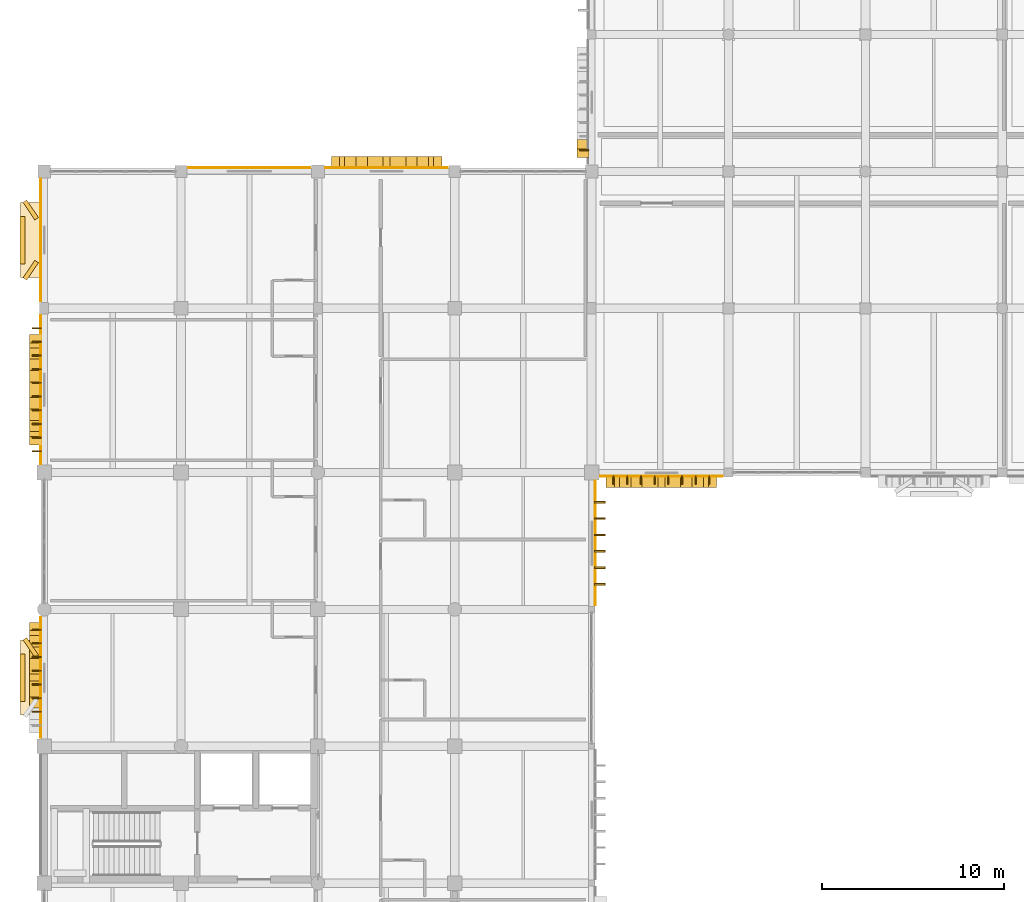
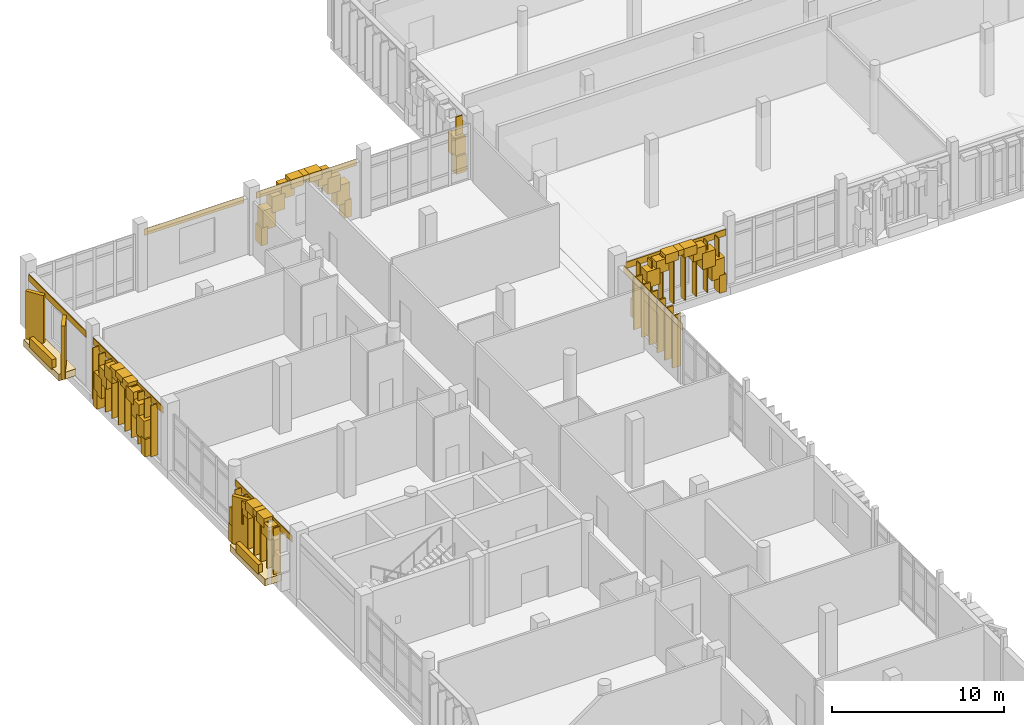
# One storey, part 119 of 131: 63 coverings, 26 shading devices.
"""IFC4 building model written with IfcOpenShell, lengths in metres."""

from ifc_helpers import new_model, si_unit, direction, frame, origin, origin_2d, place, context, subcontext, project, spatial, rectangle, extrude, material, layer, layer_set, type_object, element, save


model = new_model("IFC4")

# Units and contexts
model_context = context("Model", 3, precision=1e-05, world=origin(), true_north=direction((0.0, 1.0)))
body_context = subcontext(model_context, "Body", "Model", "MODEL_VIEW")
ifc_project = project(units=[si_unit("LENGTHUNIT", "METRE"), si_unit("AREAUNIT", "SQUARE_METRE"), si_unit("VOLUMEUNIT", "CUBIC_METRE"), si_unit("PLANEANGLEUNIT", "RADIAN"), si_unit("MASSUNIT", "GRAM", prefix="KILO")], contexts=[model_context])

# Site, building, storey
site_placement = place(None, origin())
site = spatial("IfcSite", under=ifc_project, at=site_placement, CompositionType="ELEMENT")
building_placement = place(site_placement, origin())
building = spatial("IfcBuilding", under=site, at=building_placement, Name="Dalvernix Boulevard General Hospital", CompositionType="ELEMENT")
storey_placement = place(building_placement, frame((0.0, 0.0, 9.300048828125)))
storey = spatial("IfcBuildingStorey", under=building, at=storey_placement, Name="L02", CompositionType="ELEMENT", Elevation=9.300048828125)

# Coverings
ifc_material_1 = material(Name="Pressed Catalan clay brick and dressed limestone parabolic archivolt", Category="masonry")
ifc_layer_1 = layer(ifc_material_1, 0.419921875)
ifc_layer_set_1 = layer_set([ifc_layer_1], Name="Pressed Catalan clay brick and dressed limestone parabolic archivolt (COV-ARC-01)")
covering_type_1 = type_object("IfcCoveringType", Name="COV-ARC-01", PredefinedType="CLADDING", material=ifc_layer_set_1)
covering_1_placement = place(storey_placement, frame((-0.485107421875, 68.0625, 0.0), z_axis=(0.0, 0.0, 1.0), x_axis=(0.0, 1.0, 0.0)))
element("IfcCovering", 1, at=covering_1_placement, inside=storey, type_object=covering_type_1, Name="L02 Catalan parabolic arch impost pier W 0-8-R", PredefinedType="CLADDING", context=body_context, shape_type="SweptSolid", body=[
    extrude(rectangle(XDim=0.4599609375, YDim=0.659912109375, at=origin_2d()), origin(), (0.0, 0.0, 1.0), 1.25),
])
covering_2_placement = place(storey_placement, frame((-0.485107421875, 64.01806640625, 2.843505859375), z_axis=(0.0, 0.0, 1.0), x_axis=(0.0, 1.0, 0.0)))
element("IfcCovering", 2, at=covering_2_placement, inside=storey, type_object=covering_type_1, Name="L02 Catalan parabolic archivolt voussoir W 0-8-3", PredefinedType="CLADDING", context=body_context, shape_type="SweptSolid", body=[
    extrude(rectangle(XDim=0.8623046875, YDim=0.659912109375, at=origin_2d()), origin(), (0.0, 0.0, 1.0), 0.8896484375),
])
covering_3_placement = place(storey_placement, frame((-0.485107421875, 64.640380859375, 3.353271484375), z_axis=(0.0, 0.0, 1.0), x_axis=(0.0, 1.0, 0.0)))
element("IfcCovering", 3, at=covering_3_placement, inside=storey, type_object=covering_type_1, Name="L02 Catalan parabolic archivolt voussoir W 0-8-4", PredefinedType="CLADDING", context=body_context, shape_type="SweptSolid", body=[
    extrude(rectangle(XDim=0.8623046875, YDim=0.659912109375, at=origin_2d()), origin(), (0.0, 0.0, 1.0), 0.634765625),
])
covering_4_placement = place(storey_placement, frame((-0.485107421875, 65.262451171875, 3.608154296875), z_axis=(0.0, 0.0, 1.0), x_axis=(0.0, 1.0, 0.0)))
element("IfcCovering", 4, at=covering_4_placement, inside=storey, type_object=covering_type_1, Name="L02 Catalan parabolic archivolt voussoir W 0-8-5", PredefinedType="CLADDING", context=body_context, shape_type="SweptSolid", body=[
    extrude(rectangle(XDim=0.8623046875, YDim=0.659912109375, at=origin_2d()), origin(), (0.0, 0.0, 1.0), 0.3798828125),
])
covering_5_placement = place(storey_placement, frame((-0.485107421875, 65.884765625, 3.353271484375), z_axis=(0.0, 0.0, 1.0), x_axis=(0.0, 1.0, 0.0)))
element("IfcCovering", 5, at=covering_5_placement, inside=storey, type_object=covering_type_1, Name="L02 Catalan parabolic archivolt voussoir W 0-8-6", PredefinedType="CLADDING", context=body_context, shape_type="SweptSolid", body=[
    extrude(rectangle(XDim=0.8623046875, YDim=0.659912109375, at=origin_2d()), origin(), (0.0, 0.0, 1.0), 0.634765625),
])
covering_6_placement = place(storey_placement, frame((-0.485107421875, 66.5068359375, 2.843505859375), z_axis=(0.0, 0.0, 1.0), x_axis=(0.0, 1.0, 0.0)))
element("IfcCovering", 6, at=covering_6_placement, inside=storey, type_object=covering_type_1, Name="L02 Catalan parabolic archivolt voussoir W 0-8-7", PredefinedType="CLADDING", context=body_context, shape_type="SweptSolid", body=[
    extrude(rectangle(XDim=0.8623046875, YDim=0.659912109375, at=origin_2d()), origin(), (0.0, 0.0, 1.0), 0.8896484375),
])
covering_7_placement = place(storey_placement, frame((-0.485107421875, 67.129150390625, 2.0791015625), z_axis=(0.0, 0.0, 1.0), x_axis=(0.0, 1.0, 0.0)))
element("IfcCovering", 7, at=covering_7_placement, inside=storey, type_object=covering_type_1, Name="L02 Catalan parabolic archivolt voussoir W 0-8-8", PredefinedType="CLADDING", context=body_context, shape_type="SweptSolid", body=[
    extrude(rectangle(XDim=0.8623046875, YDim=0.659912109375, at=origin_2d()), origin(), (0.0, 0.0, 1.0), 1.144287109375),
])
covering_8_placement = place(storey_placement, frame((-0.485107421875, 67.75146484375, 1.059814453125), z_axis=(0.0, 0.0, 1.0), x_axis=(0.0, 1.0, 0.0)))
element("IfcCovering", 8, at=covering_8_placement, inside=storey, type_object=covering_type_1, Name="L02 Catalan parabolic archivolt voussoir W 0-8-9", PredefinedType="CLADDING", context=body_context, shape_type="SweptSolid", body=[
    extrude(rectangle(XDim=0.8623046875, YDim=0.659912109375, at=origin_2d()), origin(), (0.0, 0.0, 1.0), 1.3994140625),
])
for number, where, z_axis, x_axis, name in (
    (9, (-0.485107421875, 78.237548828125, 0.0), (0.0, 0.0, 1.0), (0.0, 1.0, 0.0), "L02 Catalan parabolic arch impost pier W 0-10-L"),
    (10, (-0.485107421875, 83.83740234375, 0.0), (0.0, 0.0, 1.0), (0.0, 1.0, 0.0), "L02 Catalan parabolic arch impost pier W 0-10-R"),
):
    element("IfcCovering", number, at=place(storey_placement, frame(where, z_axis=z_axis, x_axis=x_axis)), inside=storey, type_object=covering_type_1, Name=name, PredefinedType="CLADDING", context=body_context, shape_type="SweptSolid", body=[
        extrude(rectangle(XDim=0.4599609375, YDim=0.659912109375, at=origin_2d()), origin(), (0.0, 0.0, 1.0), 1.25),
    ])
covering_9_placement = place(storey_placement, frame((-0.485107421875, 78.548583984375, 1.06005859375), z_axis=(0.0, 0.0, 1.0), x_axis=(0.0, 1.0, 0.0)))
element("IfcCovering", 11, at=covering_9_placement, inside=storey, type_object=covering_type_1, Name="L02 Catalan parabolic archivolt voussoir W 0-10-1", PredefinedType="CLADDING", context=body_context, shape_type="SweptSolid", body=[
    extrude(rectangle(XDim=0.8623046875, YDim=0.659912109375, at=origin_2d()), origin(), (0.0, 0.0, 1.0), 1.4189453125),
])
covering_10_placement = place(storey_placement, frame((-0.485107421875, 79.1708984375, 2.098876953125), z_axis=(0.0, 0.0, 1.0), x_axis=(0.0, 1.0, 0.0)))
element("IfcCovering", 12, at=covering_10_placement, inside=storey, type_object=covering_type_1, Name="L02 Catalan parabolic archivolt voussoir W 0-10-2", PredefinedType="CLADDING", context=body_context, shape_type="SweptSolid", body=[
    extrude(rectangle(XDim=0.8623046875, YDim=0.659912109375, at=origin_2d()), origin(), (0.0, 0.0, 1.0), 1.1591796875),
])
covering_11_placement = place(storey_placement, frame((-0.485107421875, 79.793212890625, 2.878173828125), z_axis=(0.0, 0.0, 1.0), x_axis=(0.0, 1.0, 0.0)))
element("IfcCovering", 13, at=covering_11_placement, inside=storey, type_object=covering_type_1, Name="L02 Catalan parabolic archivolt voussoir W 0-10-3", PredefinedType="CLADDING", context=body_context, shape_type="SweptSolid", body=[
    extrude(rectangle(XDim=0.8623046875, YDim=0.659912109375, at=origin_2d()), origin(), (0.0, 0.0, 1.0), 0.8994140625),
])
covering_12_placement = place(storey_placement, frame((-0.485107421875, 80.415283203125, 3.3974609375), z_axis=(0.0, 0.0, 1.0), x_axis=(0.0, 1.0, 0.0)))
element("IfcCovering", 14, at=covering_12_placement, inside=storey, type_object=covering_type_1, Name="L02 Catalan parabolic archivolt voussoir W 0-10-4", PredefinedType="CLADDING", context=body_context, shape_type="SweptSolid", body=[
    extrude(rectangle(XDim=0.8623046875, YDim=0.659912109375, at=origin_2d()), origin(), (0.0, 0.0, 1.0), 0.639892578125),
])
covering_13_placement = place(storey_placement, frame((-0.485107421875, 81.03759765625, 3.657470703125), z_axis=(0.0, 0.0, 1.0), x_axis=(0.0, 1.0, 0.0)))
element("IfcCovering", 15, at=covering_13_placement, inside=storey, type_object=covering_type_1, Name="L02 Catalan parabolic archivolt voussoir W 0-10-5", PredefinedType="CLADDING", context=body_context, shape_type="SweptSolid", body=[
    extrude(rectangle(XDim=0.8623046875, YDim=0.659912109375, at=origin_2d()), origin(), (0.0, 0.0, 1.0), 0.3798828125),
])
covering_14_placement = place(storey_placement, frame((-0.485107421875, 81.65966796875, 3.3974609375), z_axis=(0.0, 0.0, 1.0), x_axis=(0.0, 1.0, 0.0)))
element("IfcCovering", 16, at=covering_14_placement, inside=storey, type_object=covering_type_1, Name="L02 Catalan parabolic archivolt voussoir W 0-10-6", PredefinedType="CLADDING", context=body_context, shape_type="SweptSolid", body=[
    extrude(rectangle(XDim=0.8623046875, YDim=0.659912109375, at=origin_2d()), origin(), (0.0, 0.0, 1.0), 0.639892578125),
])
covering_15_placement = place(storey_placement, frame((-0.485107421875, 82.281982421875, 2.878173828125), z_axis=(0.0, 0.0, 1.0), x_axis=(0.0, 1.0, 0.0)))
element("IfcCovering", 17, at=covering_15_placement, inside=storey, type_object=covering_type_1, Name="L02 Catalan parabolic archivolt voussoir W 0-10-7", PredefinedType="CLADDING", context=body_context, shape_type="SweptSolid", body=[
    extrude(rectangle(XDim=0.8623046875, YDim=0.659912109375, at=origin_2d()), origin(), (0.0, 0.0, 1.0), 0.8994140625),
])
covering_16_placement = place(storey_placement, frame((-0.485107421875, 82.904296875, 2.098876953125), z_axis=(0.0, 0.0, 1.0), x_axis=(0.0, 1.0, 0.0)))
element("IfcCovering", 18, at=covering_16_placement, inside=storey, type_object=covering_type_1, Name="L02 Catalan parabolic archivolt voussoir W 0-10-8", PredefinedType="CLADDING", context=body_context, shape_type="SweptSolid", body=[
    extrude(rectangle(XDim=0.8623046875, YDim=0.659912109375, at=origin_2d()), origin(), (0.0, 0.0, 1.0), 1.1591796875),
])
covering_17_placement = place(storey_placement, frame((-0.485107421875, 83.5263671875, 1.06005859375), z_axis=(0.0, 0.0, 1.0), x_axis=(0.0, 1.0, 0.0)))
element("IfcCovering", 19, at=covering_17_placement, inside=storey, type_object=covering_type_1, Name="L02 Catalan parabolic archivolt voussoir W 0-10-9", PredefinedType="CLADDING", context=body_context, shape_type="SweptSolid", body=[
    extrude(rectangle(XDim=0.8623046875, YDim=0.659912109375, at=origin_2d()), origin(), (0.0, 0.0, 1.0), 1.4189453125),
])
for number, where, z_axis, x_axis, name in (
    (20, (15.96240234375, 93.485107421875, 0.0), (0.0, 0.0, 1.0), (1.0, 0.0, 0.0), "L02 Catalan parabolic arch impost pier N 2-12-L"),
    (21, (21.5625, 93.485107421875, 0.0), (0.0, 0.0, 1.0), (1.0, 0.0, 0.0), "L02 Catalan parabolic arch impost pier N 2-12-R"),
):
    element("IfcCovering", number, at=place(storey_placement, frame(where, z_axis=z_axis, x_axis=x_axis)), inside=storey, type_object=covering_type_1, Name=name, PredefinedType="CLADDING", context=body_context, shape_type="SweptSolid", body=[
        extrude(rectangle(XDim=0.4599609375, YDim=0.659912109375, at=origin_2d()), origin(), (0.0, 0.0, 1.0), 1.25),
    ])
covering_18_placement = place(storey_placement, frame((16.273681640625, 93.485107421875, 1.059814453125), z_axis=(0.0, 0.0, 1.0), x_axis=(1.0, 0.0, 0.0)))
element("IfcCovering", 22, at=covering_18_placement, inside=storey, type_object=covering_type_1, Name="L02 Catalan parabolic archivolt voussoir N 2-12-1", PredefinedType="CLADDING", context=body_context, shape_type="SweptSolid", body=[
    extrude(rectangle(XDim=0.8623046875, YDim=0.659912109375, at=origin_2d()), origin(), (0.0, 0.0, 1.0), 1.3994140625),
])
covering_19_placement = place(storey_placement, frame((16.895751953125, 93.485107421875, 2.0791015625), z_axis=(0.0, 0.0, 1.0), x_axis=(1.0, 0.0, 0.0)))
element("IfcCovering", 23, at=covering_19_placement, inside=storey, type_object=covering_type_1, Name="L02 Catalan parabolic archivolt voussoir N 2-12-2", PredefinedType="CLADDING", context=body_context, shape_type="SweptSolid", body=[
    extrude(rectangle(XDim=0.8623046875, YDim=0.659912109375, at=origin_2d()), origin(), (0.0, 0.0, 1.0), 1.144287109375),
])
covering_20_placement = place(storey_placement, frame((17.51806640625, 93.485107421875, 2.843505859375), z_axis=(0.0, 0.0, 1.0), x_axis=(1.0, 0.0, 0.0)))
element("IfcCovering", 24, at=covering_20_placement, inside=storey, type_object=covering_type_1, Name="L02 Catalan parabolic archivolt voussoir N 2-12-3", PredefinedType="CLADDING", context=body_context, shape_type="SweptSolid", body=[
    extrude(rectangle(XDim=0.8623046875, YDim=0.659912109375, at=origin_2d()), origin(), (0.0, 0.0, 1.0), 0.8896484375),
])
covering_21_placement = place(storey_placement, frame((18.140380859375, 93.485107421875, 3.353271484375), z_axis=(0.0, 0.0, 1.0), x_axis=(1.0, 0.0, 0.0)))
element("IfcCovering", 25, at=covering_21_placement, inside=storey, type_object=covering_type_1, Name="L02 Catalan parabolic archivolt voussoir N 2-12-4", PredefinedType="CLADDING", context=body_context, shape_type="SweptSolid", body=[
    extrude(rectangle(XDim=0.8623046875, YDim=0.659912109375, at=origin_2d()), origin(), (0.0, 0.0, 1.0), 0.634765625),
])
covering_22_placement = place(storey_placement, frame((18.762451171875, 93.485107421875, 3.608154296875), z_axis=(0.0, 0.0, 1.0), x_axis=(1.0, 0.0, 0.0)))
element("IfcCovering", 26, at=covering_22_placement, inside=storey, type_object=covering_type_1, Name="L02 Catalan parabolic archivolt voussoir N 2-12-5", PredefinedType="CLADDING", context=body_context, shape_type="SweptSolid", body=[
    extrude(rectangle(XDim=0.8623046875, YDim=0.659912109375, at=origin_2d()), origin(), (0.0, 0.0, 1.0), 0.3798828125),
])
covering_23_placement = place(storey_placement, frame((19.384765625, 93.485107421875, 3.353271484375), z_axis=(0.0, 0.0, 1.0), x_axis=(1.0, 0.0, 0.0)))
element("IfcCovering", 27, at=covering_23_placement, inside=storey, type_object=covering_type_1, Name="L02 Catalan parabolic archivolt voussoir N 2-12-6", PredefinedType="CLADDING", context=body_context, shape_type="SweptSolid", body=[
    extrude(rectangle(XDim=0.8623046875, YDim=0.659912109375, at=origin_2d()), origin(), (0.0, 0.0, 1.0), 0.634765625),
])
covering_24_placement = place(storey_placement, frame((20.0068359375, 93.485107421875, 2.843505859375), z_axis=(0.0, 0.0, 1.0), x_axis=(1.0, 0.0, 0.0)))
element("IfcCovering", 28, at=covering_24_placement, inside=storey, type_object=covering_type_1, Name="L02 Catalan parabolic archivolt voussoir N 2-12-7", PredefinedType="CLADDING", context=body_context, shape_type="SweptSolid", body=[
    extrude(rectangle(XDim=0.8623046875, YDim=0.659912109375, at=origin_2d()), origin(), (0.0, 0.0, 1.0), 0.8896484375),
])
covering_25_placement = place(storey_placement, frame((20.629150390625, 93.485107421875, 2.0791015625), z_axis=(0.0, 0.0, 1.0), x_axis=(1.0, 0.0, 0.0)))
element("IfcCovering", 29, at=covering_25_placement, inside=storey, type_object=covering_type_1, Name="L02 Catalan parabolic archivolt voussoir N 2-12-8", PredefinedType="CLADDING", context=body_context, shape_type="SweptSolid", body=[
    extrude(rectangle(XDim=0.8623046875, YDim=0.659912109375, at=origin_2d()), origin(), (0.0, 0.0, 1.0), 1.144287109375),
])
covering_26_placement = place(storey_placement, frame((21.25146484375, 93.485107421875, 1.059814453125), z_axis=(0.0, 0.0, 1.0), x_axis=(1.0, 0.0, 0.0)))
element("IfcCovering", 30, at=covering_26_placement, inside=storey, type_object=covering_type_1, Name="L02 Catalan parabolic archivolt voussoir N 2-12-9", PredefinedType="CLADDING", context=body_context, shape_type="SweptSolid", body=[
    extrude(rectangle(XDim=0.8623046875, YDim=0.659912109375, at=origin_2d()), origin(), (0.0, 0.0, 1.0), 1.3994140625),
])
for number, where, z_axis, x_axis, name in (
    (31, (36.625, 76.014892578125, 0.0), (0.0, 0.0, 1.0), (-1.0, 0.0, 0.0), "L02 Catalan parabolic arch impost pier S 4-10-L"),
    (32, (31.02490234375, 76.014892578125, 0.0), (0.0, 0.0, 1.0), (-1.0, 0.0, 0.0), "L02 Catalan parabolic arch impost pier S 4-10-R"),
):
    element("IfcCovering", number, at=place(storey_placement, frame(where, z_axis=z_axis, x_axis=x_axis)), inside=storey, type_object=covering_type_1, Name=name, PredefinedType="CLADDING", context=body_context, shape_type="SweptSolid", body=[
        extrude(rectangle(XDim=0.4599609375, YDim=0.659912109375, at=origin_2d()), origin(), (0.0, 0.0, 1.0), 1.25),
    ])
covering_27_placement = place(storey_placement, frame((36.31396484375, 76.014892578125, 1.059814453125), z_axis=(0.0, 0.0, 1.0), x_axis=(-1.0, 0.0, 0.0)))
element("IfcCovering", 33, at=covering_27_placement, inside=storey, type_object=covering_type_1, Name="L02 Catalan parabolic archivolt voussoir S 4-10-1", PredefinedType="CLADDING", context=body_context, shape_type="SweptSolid", body=[
    extrude(rectangle(XDim=0.8623046875, YDim=0.659912109375, at=origin_2d()), origin(), (0.0, 0.0, 1.0), 1.3994140625),
])
covering_28_placement = place(storey_placement, frame((35.691650390625, 76.014892578125, 2.0791015625), z_axis=(0.0, 0.0, 1.0), x_axis=(-1.0, 0.0, 0.0)))
element("IfcCovering", 34, at=covering_28_placement, inside=storey, type_object=covering_type_1, Name="L02 Catalan parabolic archivolt voussoir S 4-10-2", PredefinedType="CLADDING", context=body_context, shape_type="SweptSolid", body=[
    extrude(rectangle(XDim=0.8623046875, YDim=0.659912109375, at=origin_2d()), origin(), (0.0, 0.0, 1.0), 1.144287109375),
])
covering_29_placement = place(storey_placement, frame((35.0693359375, 76.014892578125, 2.843505859375), z_axis=(0.0, 0.0, 1.0), x_axis=(-1.0, 0.0, 0.0)))
element("IfcCovering", 35, at=covering_29_placement, inside=storey, type_object=covering_type_1, Name="L02 Catalan parabolic archivolt voussoir S 4-10-3", PredefinedType="CLADDING", context=body_context, shape_type="SweptSolid", body=[
    extrude(rectangle(XDim=0.8623046875, YDim=0.659912109375, at=origin_2d()), origin(), (0.0, 0.0, 1.0), 0.8896484375),
])
covering_30_placement = place(storey_placement, frame((34.447265625, 76.014892578125, 3.353271484375), z_axis=(0.0, 0.0, 1.0), x_axis=(-1.0, 0.0, 0.0)))
element("IfcCovering", 36, at=covering_30_placement, inside=storey, type_object=covering_type_1, Name="L02 Catalan parabolic archivolt voussoir S 4-10-4", PredefinedType="CLADDING", context=body_context, shape_type="SweptSolid", body=[
    extrude(rectangle(XDim=0.8623046875, YDim=0.659912109375, at=origin_2d()), origin(), (0.0, 0.0, 1.0), 0.634765625),
])
covering_31_placement = place(storey_placement, frame((33.824951171875, 76.014892578125, 3.608154296875), z_axis=(0.0, 0.0, 1.0), x_axis=(-1.0, 0.0, 0.0)))
element("IfcCovering", 37, at=covering_31_placement, inside=storey, type_object=covering_type_1, Name="L02 Catalan parabolic archivolt voussoir S 4-10-5", PredefinedType="CLADDING", context=body_context, shape_type="SweptSolid", body=[
    extrude(rectangle(XDim=0.8623046875, YDim=0.659912109375, at=origin_2d()), origin(), (0.0, 0.0, 1.0), 0.3798828125),
])
covering_32_placement = place(storey_placement, frame((33.202880859375, 76.014892578125, 3.353271484375), z_axis=(0.0, 0.0, 1.0), x_axis=(-1.0, 0.0, 0.0)))
element("IfcCovering", 38, at=covering_32_placement, inside=storey, type_object=covering_type_1, Name="L02 Catalan parabolic archivolt voussoir S 4-10-6", PredefinedType="CLADDING", context=body_context, shape_type="SweptSolid", body=[
    extrude(rectangle(XDim=0.8623046875, YDim=0.659912109375, at=origin_2d()), origin(), (0.0, 0.0, 1.0), 0.634765625),
])
covering_33_placement = place(storey_placement, frame((32.58056640625, 76.014892578125, 2.843505859375), z_axis=(0.0, 0.0, 1.0), x_axis=(-1.0, 0.0, 0.0)))
element("IfcCovering", 39, at=covering_33_placement, inside=storey, type_object=covering_type_1, Name="L02 Catalan parabolic archivolt voussoir S 4-10-7", PredefinedType="CLADDING", context=body_context, shape_type="SweptSolid", body=[
    extrude(rectangle(XDim=0.8623046875, YDim=0.659912109375, at=origin_2d()), origin(), (0.0, 0.0, 1.0), 0.8896484375),
])
covering_34_placement = place(storey_placement, frame((31.958251953125, 76.014892578125, 2.0791015625), z_axis=(0.0, 0.0, 1.0), x_axis=(-1.0, 0.0, 0.0)))
element("IfcCovering", 40, at=covering_34_placement, inside=storey, type_object=covering_type_1, Name="L02 Catalan parabolic archivolt voussoir S 4-10-8", PredefinedType="CLADDING", context=body_context, shape_type="SweptSolid", body=[
    extrude(rectangle(XDim=0.8623046875, YDim=0.659912109375, at=origin_2d()), origin(), (0.0, 0.0, 1.0), 1.144287109375),
])
covering_35_placement = place(storey_placement, frame((31.336181640625, 76.014892578125, 1.059814453125), z_axis=(0.0, 0.0, 1.0), x_axis=(-1.0, 0.0, 0.0)))
element("IfcCovering", 41, at=covering_35_placement, inside=storey, type_object=covering_type_1, Name="L02 Catalan parabolic archivolt voussoir S 4-10-9", PredefinedType="CLADDING", context=body_context, shape_type="SweptSolid", body=[
    extrude(rectangle(XDim=0.8623046875, YDim=0.659912109375, at=origin_2d()), origin(), (0.0, 0.0, 1.0), 1.3994140625),
])
covering_36_placement = place(storey_placement, frame((29.514892578125, 94.0, 0.0), z_axis=(0.0, 0.0, 1.0), x_axis=(0.0, 1.0, 0.0)))
element("IfcCovering", 42, at=covering_36_placement, inside=storey, type_object=covering_type_1, Name="L02 Catalan parabolic arch impost pier W 4-12-L", PredefinedType="CLADDING", context=body_context, shape_type="SweptSolid", body=[
    extrude(rectangle(XDim=0.4599609375, YDim=0.659912109375, at=origin_2d()), origin(), (0.0, 0.0, 1.0), 1.25),
])
covering_37_placement = place(storey_placement, frame((29.514892578125, 94.31103515625, 1.059814453125), z_axis=(0.0, 0.0, 1.0), x_axis=(0.0, 1.0, 0.0)))
element("IfcCovering", 43, at=covering_37_placement, inside=storey, type_object=covering_type_1, Name="L02 Catalan parabolic archivolt voussoir W 4-12-1", PredefinedType="CLADDING", context=body_context, shape_type="SweptSolid", body=[
    extrude(rectangle(XDim=0.8623046875, YDim=0.659912109375, at=origin_2d()), origin(), (0.0, 0.0, 1.0), 1.3994140625),
])
ifc_material_2 = material(Name="Polychrome glazed Catalan trencadis ceramic faceted bay spandrel")
ifc_layer_2 = layer(ifc_material_2, 0.280029296875)
ifc_layer_set_2 = layer_set([ifc_layer_2], Name="Polychrome glazed Catalan trencadis ceramic faceted bay spandrel (COV-BAY-01)")
covering_type_2 = type_object("IfcCoveringType", Name="COV-BAY-01", PredefinedType="CLADDING", material=ifc_layer_set_2)
covering_38_placement = place(storey_placement, frame((-1.18505859375, 65.262451171875, 0.3798828125), z_axis=(0.0, 0.0, 1.0), x_axis=(0.0, 1.0, 0.0)))
element("IfcCovering", 44, at=covering_38_placement, inside=storey, type_object=covering_type_2, Name="L02 projecting faceted trencadis bay spandrel W 0-8", PredefinedType="CLADDING", context=body_context, shape_type="SweptSolid", body=[
    extrude(rectangle(XDim=2.60009765625, YDim=0.280029296875, at=origin_2d()), origin(), (0.0, 0.0, 1.0), 0.679931640625),
])
covering_39_placement = place(storey_placement, frame((-0.735107421875, 66.91259765625, 0.079833984375), z_axis=(0.0, 0.0, 1.0), x_axis=(-0.559192903471, 0.829037572555, 0.0)))
element("IfcCovering", 45, at=covering_39_placement, inside=storey, type_object=covering_type_2, Name="L02 projecting faceted Catalan bay cheek W 0-8-R", PredefinedType="CLADDING", context=body_context, shape_type="SweptSolid", body=[
    extrude(rectangle(XDim=1.14990234375, YDim=0.239990234375, at=origin_2d()), origin(), (0.0, 0.0, 1.0), 3.7900390625),
])
covering_40_placement = place(storey_placement, frame((-1.18505859375, 89.237548828125, 0.3798828125), z_axis=(0.0, 0.0, 1.0), x_axis=(0.0, 1.0, 0.0)))
element("IfcCovering", 46, at=covering_40_placement, inside=storey, type_object=covering_type_2, Name="L02 projecting faceted trencadis bay spandrel W 0-11", PredefinedType="CLADDING", context=body_context, shape_type="SweptSolid", body=[
    extrude(rectangle(XDim=2.60009765625, YDim=0.280029296875, at=origin_2d()), origin(), (0.0, 0.0, 1.0), 0.679931640625),
])
for number, where, z_axis, x_axis, name in (
    (47, (-0.735107421875, 87.58740234375, 0.079833984375), (0.0, 0.0, 1.0), (0.559192903471, 0.829037572555, 0.0), "L02 projecting faceted Catalan bay cheek W 0-11-L"),
    (48, (-0.735107421875, 90.887451171875, 0.079833984375), (0.0, 0.0, 1.0), (-0.559192903471, 0.829037572555, 0.0), "L02 projecting faceted Catalan bay cheek W 0-11-R"),
):
    element("IfcCovering", number, at=place(storey_placement, frame(where, z_axis=z_axis, x_axis=x_axis)), inside=storey, type_object=covering_type_2, Name=name, PredefinedType="CLADDING", context=body_context, shape_type="SweptSolid", body=[
        extrude(rectangle(XDim=1.14990234375, YDim=0.239990234375, at=origin_2d()), origin(), (0.0, 0.0, 1.0), 3.7900390625),
    ])
ifc_material_3 = material(Name="Polychrome Catalan glazed ceramic spandrel tile panel")
ifc_layer_3 = layer(ifc_material_3, 0.044921875)
ifc_layer_set_3 = layer_set([ifc_layer_3], Name="Polychrome Catalan glazed ceramic spandrel tile panel (COV-CLD-01)")
covering_type_3 = type_object("IfcCoveringType", Name="COV-CLD-01", PredefinedType="CLADDING", material=ifc_layer_set_3)
covering_41_placement = place(storey_placement, frame((-0.195068359375, 65.262451171875, 3.47509765625), z_axis=(0.0, 0.0, 1.0), x_axis=(0.0, 1.0, 0.0)))
element("IfcCovering", 49, at=covering_41_placement, inside=storey, type_object=covering_type_3, Name="L02 polychrome ceramic spandrel W 0-8", PredefinedType="CLADDING", context=body_context, shape_type="SweptSolid", body=[
    extrude(rectangle(XDim=6.60498046875, YDim=0.044921875, at=origin_2d()), origin(), (0.0, 0.0, 1.0), 0.449951171875),
])
covering_42_placement = place(storey_placement, frame((-0.195068359375, 81.03759765625, 3.52490234375), z_axis=(0.0, 0.0, 1.0), x_axis=(0.0, 1.0, 0.0)))
element("IfcCovering", 50, at=covering_42_placement, inside=storey, type_object=covering_type_3, Name="L02 polychrome ceramic spandrel W 0-10", PredefinedType="CLADDING", context=body_context, shape_type="SweptSolid", body=[
    extrude(rectangle(XDim=8.155029296875, YDim=0.044921875, at=origin_2d()), origin(), (0.0, 0.0, 1.0), 0.449951171875),
])
for number, where, z_axis, x_axis, name in (
    (51, (-0.195068359375, 89.237548828125, 3.47509765625), (0.0, 0.0, 1.0), (0.0, 1.0, 0.0), "L02 polychrome ceramic spandrel W 0-11"),
    (52, (11.237548828125, 93.195068359375, 3.47509765625), (0.0, 0.0, 1.0), (1.0, 0.0, 0.0), "L02 polychrome ceramic spandrel N 1-12"),
    (53, (18.762451171875, 93.195068359375, 3.47509765625), (0.0, 0.0, 1.0), (1.0, 0.0, 0.0), "L02 polychrome ceramic spandrel N 2-12"),
):
    element("IfcCovering", number, at=place(storey_placement, frame(where, z_axis=z_axis, x_axis=x_axis)), inside=storey, type_object=covering_type_3, Name=name, PredefinedType="CLADDING", context=body_context, shape_type="SweptSolid", body=[
        extrude(rectangle(XDim=6.705078125, YDim=0.044921875, at=origin_2d()), origin(), (0.0, 0.0, 1.0), 0.449951171875),
    ])
covering_43_placement = place(storey_placement, frame((30.195068359375, 72.6298828125, 3.47509765625), z_axis=(0.0, 0.0, 1.0), x_axis=(0.0, -1.0, 0.0)))
element("IfcCovering", 54, at=covering_43_placement, inside=storey, type_object=covering_type_3, Name="L02 polychrome ceramic spandrel E 4-9", PredefinedType="CLADDING", context=body_context, shape_type="SweptSolid", body=[
    extrude(rectangle(XDim=6.820068359375, YDim=0.044921875, at=origin_2d()), origin(), (0.0, 0.0, 1.0), 0.449951171875),
])
covering_44_placement = place(storey_placement, frame((33.824951171875, 76.304931640625, 3.47509765625), z_axis=(0.0, 0.0, 1.0), x_axis=(-1.0, 0.0, 0.0)))
element("IfcCovering", 55, at=covering_44_placement, inside=storey, type_object=covering_type_3, Name="L02 polychrome ceramic spandrel S 4-10", PredefinedType="CLADDING", context=body_context, shape_type="SweptSolid", body=[
    extrude(rectangle(XDim=6.72998046875, YDim=0.044921875, at=origin_2d()), origin(), (0.0, 0.0, 1.0), 0.449951171875),
])
ifc_material_4 = material(Name="Dressed ochre limestone classical plinth, stringcourse and corbelled cornice", Category="masonry")
ifc_layer_4 = layer(ifc_material_4, 0.449951171875)
ifc_layer_set_4 = layer_set([ifc_layer_4], Name="Dressed ochre limestone classical plinth, stringcourse and corbelled cornice (COV-CRN-01)")
covering_type_4 = type_object("IfcCoveringType", Name="COV-CRN-01", PredefinedType="CLADDING", material=ifc_layer_set_4)
for number, where, z_axis, x_axis, name in (
    (56, (-0.72998046875, 65.262451171875, 0.0), (0.0, 0.0, 1.0), (0.0, 1.0, 0.0), "L02 projecting Catalan bay corbel base W 0-8"),
    (57, (-0.72998046875, 89.237548828125, 0.0), (0.0, 0.0, 1.0), (0.0, 1.0, 0.0), "L02 projecting Catalan bay corbel base W 0-11"),
):
    element("IfcCovering", number, at=place(storey_placement, frame(where, z_axis=z_axis, x_axis=x_axis)), inside=storey, type_object=covering_type_4, Name=name, PredefinedType="CLADDING", context=body_context, shape_type="SweptSolid", body=[
        extrude(rectangle(XDim=4.10009765625, YDim=1.14990234375, at=origin_2d()), origin(), (0.0, 0.0, 1.0), 0.47998046875),
    ])
ifc_material_5 = material(Name="Terracotta-clad iroko timber brise-soleil sun-breaker fin", Category="masonry")
ifc_layer_5 = layer(ifc_material_5, 0.10009765625)
ifc_layer_set_5 = layer_set([ifc_layer_5], Name="Terracotta-clad iroko timber brise-soleil sun-breaker fin (COV-FIN-02)")
covering_type_5 = type_object("IfcCoveringType", Name="COV-FIN-02", PredefinedType="CLADDING", material=ifc_layer_set_5)
for number, where, z_axis, x_axis, name in (
    (58, (30.445068359375, 74.8798828125, 0.119873046875), (0.0, 0.0, 1.0), (0.0, -1.0, 0.0), "L02 terracotta brise-soleil fin E 4-9-1"),
    (59, (30.445068359375, 73.97998046875, 0.119873046875), (0.0, 0.0, 1.0), (0.0, -1.0, 0.0), "L02 terracotta brise-soleil fin E 4-9-2"),
    (60, (30.445068359375, 73.080078125, 0.119873046875), (0.0, 0.0, 1.0), (0.0, -1.0, 0.0), "L02 terracotta brise-soleil fin E 4-9-3"),
    (61, (30.445068359375, 72.179931640625, 0.119873046875), (0.0, 0.0, 1.0), (0.0, -1.0, 0.0), "L02 terracotta brise-soleil fin E 4-9-4"),
    (62, (30.445068359375, 71.280029296875, 0.119873046875), (0.0, 0.0, 1.0), (0.0, -1.0, 0.0), "L02 terracotta brise-soleil fin E 4-9-5"),
    (63, (30.445068359375, 70.3798828125, 0.119873046875), (0.0, 0.0, 1.0), (0.0, -1.0, 0.0), "L02 terracotta brise-soleil fin E 4-9-6"),
):
    element("IfcCovering", number, at=place(storey_placement, frame(where, z_axis=z_axis, x_axis=x_axis)), inside=storey, type_object=covering_type_5, Name=name, PredefinedType="CLADDING", context=body_context, shape_type="SweptSolid", body=[
        extrude(rectangle(XDim=0.10009765625, YDim=0.580078125, at=origin_2d()), origin(), (0.0, 0.0, 1.0), 3.7099609375),
    ])

# Shading devices
ifc_material_6 = material(Name="Preservative-treated West African iroko timber", Category="wood")
shading_device_type = type_object("IfcShadingDeviceType", Name="SHD-FIN-01", PredefinedType="USERDEFINED", material=ifc_material_6)
for number, where, z_axis, x_axis, name in (
    (64, (-0.405029296875, 63.387451171875, 0.1748046875), (0.0, 0.0, 1.0), (0.0, 1.0, 0.0), "L02 iroko brise-soleil fin 2"),
    (65, (-0.405029296875, 64.137451171875, 0.1748046875), (0.0, 0.0, 1.0), (0.0, 1.0, 0.0), "L02 iroko brise-soleil fin 3"),
    (66, (-0.405029296875, 64.887451171875, 0.1748046875), (0.0, 0.0, 1.0), (0.0, 1.0, 0.0), "L02 iroko brise-soleil fin 4"),
    (67, (-0.405029296875, 65.637451171875, 0.1748046875), (0.0, 0.0, 1.0), (0.0, 1.0, 0.0), "L02 iroko brise-soleil fin 5"),
    (68, (-0.405029296875, 66.387451171875, 0.1748046875), (0.0, 0.0, 1.0), (0.0, 1.0, 0.0), "L02 iroko brise-soleil fin 6"),
    (69, (-0.405029296875, 67.137451171875, 0.1748046875), (0.0, 0.0, 1.0), (0.0, 1.0, 0.0), "L02 iroko brise-soleil fin 7"),
    (70, (-0.405029296875, 67.887451171875, 0.1748046875), (0.0, 0.0, 1.0), (0.0, 1.0, 0.0), "L02 iroko brise-soleil fin 8"),
):
    element("IfcShadingDevice", number, at=place(storey_placement, frame(where, z_axis=z_axis, x_axis=x_axis)), inside=storey, type_object=shading_device_type, Name=name, ObjectType="FIN", PredefinedType="USERDEFINED", context=body_context, shape_type="SweptSolid", body=[
        extrude(rectangle(XDim=0.06494140625, YDim=0.47998046875, at=origin_2d()), origin(), (0.0, 0.0, 1.0), 3.60009765625),
    ])
for number, where, z_axis, x_axis, name in (
    (71, (-0.405029296875, 77.66259765625, 0.175048828125), (0.0, 0.0, 1.0), (0.0, 1.0, 0.0), "L02 iroko brise-soleil fin 1"),
    (72, (-0.405029296875, 78.41259765625, 0.175048828125), (0.0, 0.0, 1.0), (0.0, 1.0, 0.0), "L02 iroko brise-soleil fin 2"),
    (73, (-0.405029296875, 79.16259765625, 0.175048828125), (0.0, 0.0, 1.0), (0.0, 1.0, 0.0), "L02 iroko brise-soleil fin 3"),
    (74, (-0.405029296875, 79.91259765625, 0.175048828125), (0.0, 0.0, 1.0), (0.0, 1.0, 0.0), "L02 iroko brise-soleil fin 4"),
    (75, (-0.405029296875, 80.66259765625, 0.175048828125), (0.0, 0.0, 1.0), (0.0, 1.0, 0.0), "L02 iroko brise-soleil fin 5"),
    (76, (-0.405029296875, 81.41259765625, 0.175048828125), (0.0, 0.0, 1.0), (0.0, 1.0, 0.0), "L02 iroko brise-soleil fin 6"),
    (77, (-0.405029296875, 82.16259765625, 0.175048828125), (0.0, 0.0, 1.0), (0.0, 1.0, 0.0), "L02 iroko brise-soleil fin 7"),
    (78, (-0.405029296875, 82.91259765625, 0.175048828125), (0.0, 0.0, 1.0), (0.0, 1.0, 0.0), "L02 iroko brise-soleil fin 8"),
    (79, (-0.405029296875, 83.66259765625, 0.175048828125), (0.0, 0.0, 1.0), (0.0, 1.0, 0.0), "L02 iroko brise-soleil fin 9"),
    (80, (-0.405029296875, 84.41259765625, 0.175048828125), (0.0, 0.0, 1.0), (0.0, 1.0, 0.0), "L02 iroko brise-soleil fin 10"),
):
    element("IfcShadingDevice", number, at=place(storey_placement, frame(where, z_axis=z_axis, x_axis=x_axis)), inside=storey, type_object=shading_device_type, Name=name, ObjectType="FIN", PredefinedType="USERDEFINED", context=body_context, shape_type="SweptSolid", body=[
        extrude(rectangle(XDim=0.06494140625, YDim=0.47998046875, at=origin_2d()), origin(), (0.0, 0.0, 1.0), 3.64990234375),
    ])
for number, where, z_axis, x_axis, name in (
    (81, (36.449951171875, 76.094970703125, 0.1748046875), (0.0, 0.0, 1.0), (-1.0, 0.0, 0.0), "L02 iroko brise-soleil fin 1"),
    (82, (35.699951171875, 76.094970703125, 0.1748046875), (0.0, 0.0, 1.0), (-1.0, 0.0, 0.0), "L02 iroko brise-soleil fin 2"),
    (83, (34.949951171875, 76.094970703125, 0.1748046875), (0.0, 0.0, 1.0), (-1.0, 0.0, 0.0), "L02 iroko brise-soleil fin 3"),
    (84, (34.199951171875, 76.094970703125, 0.1748046875), (0.0, 0.0, 1.0), (-1.0, 0.0, 0.0), "L02 iroko brise-soleil fin 4"),
    (85, (33.449951171875, 76.094970703125, 0.1748046875), (0.0, 0.0, 1.0), (-1.0, 0.0, 0.0), "L02 iroko brise-soleil fin 5"),
    (86, (32.699951171875, 76.094970703125, 0.1748046875), (0.0, 0.0, 1.0), (-1.0, 0.0, 0.0), "L02 iroko brise-soleil fin 6"),
    (87, (31.949951171875, 76.094970703125, 0.1748046875), (0.0, 0.0, 1.0), (-1.0, 0.0, 0.0), "L02 iroko brise-soleil fin 7"),
    (88, (31.199951171875, 76.094970703125, 0.1748046875), (0.0, 0.0, 1.0), (-1.0, 0.0, 0.0), "L02 iroko brise-soleil fin 8"),
    (89, (29.594970703125, 94.175048828125, 0.1748046875), (0.0, 0.0, 1.0), (0.0, 1.0, 0.0), "L02 iroko brise-soleil fin 1"),
):
    element("IfcShadingDevice", number, at=place(storey_placement, frame(where, z_axis=z_axis, x_axis=x_axis)), inside=storey, type_object=shading_device_type, Name=name, ObjectType="FIN", PredefinedType="USERDEFINED", context=body_context, shape_type="SweptSolid", body=[
        extrude(rectangle(XDim=0.06494140625, YDim=0.47998046875, at=origin_2d()), origin(), (0.0, 0.0, 1.0), 3.60009765625),
    ])

save(model, "model.ifc")
